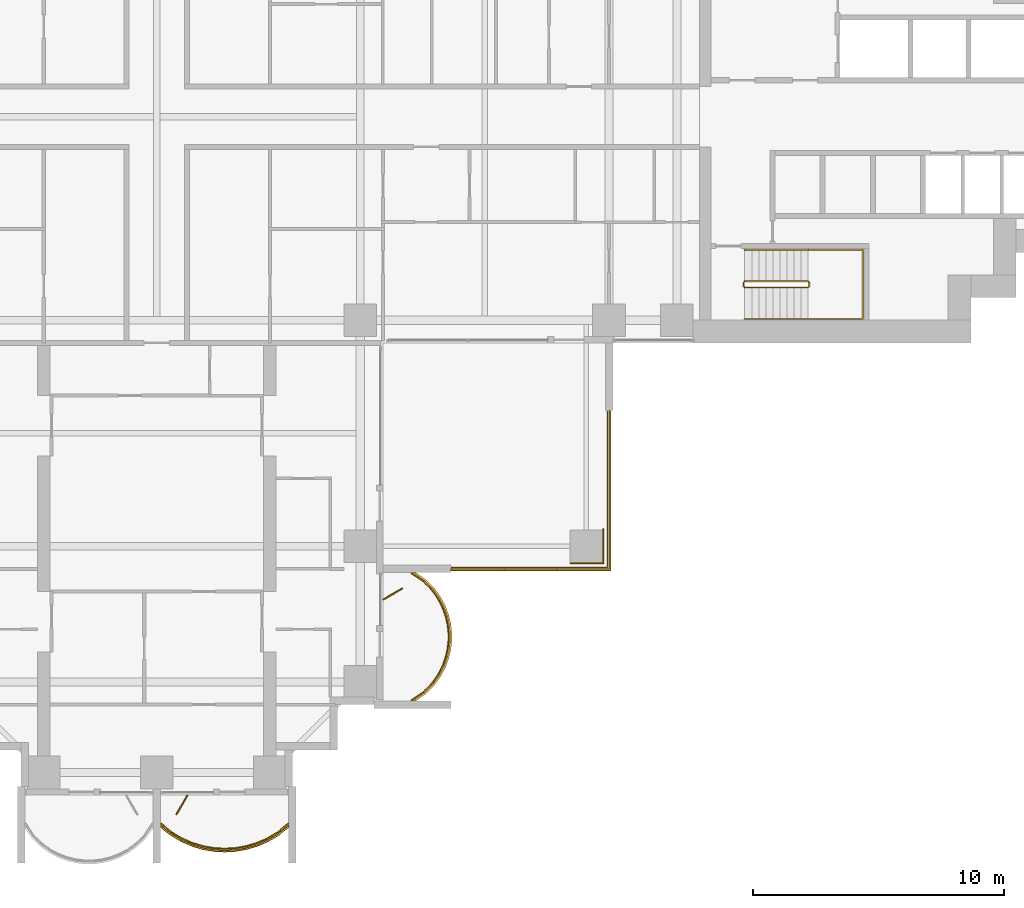
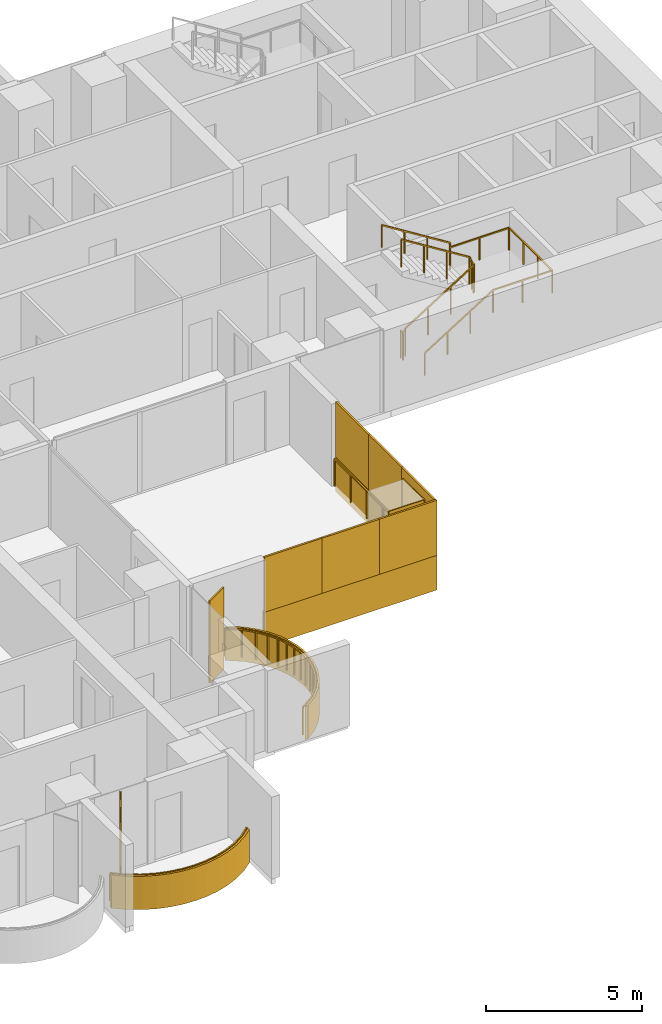
# One storey, part 18 of 21: 11 coverings, 5 railings, 2 shading devices.
"""IFC4 building model written with IfcOpenShell, lengths in metres."""

import ifcopenshell
import ifcopenshell.guid

model = None  # the IFC model being written
_history = None  # IfcOwnerHistory: only IFC2X3 demands one
_inside = {}  # id of a spatial element -> (the spatial element, [elements in it])
_under = {}  # id of a project, library or spatial element -> (it, [spatial elements below it])
_declared = {}  # id of a project -> (the project, [libraries it declares])
_typed = {}  # id of a type object -> (the type object, [elements of that type])
_made_of = {}  # id of a material, layer set ... -> (it, [elements and type objects made of it])


def new_model(schema):
    """Start an empty IFC model of exactly this schema.

    Asked for "IFC4X3", IfcOpenShell would pick the latest addendum, in which some entities
    have other attributes; the version numbers below select the first issue.
    IFC2X3 requires an IfcOwnerHistory on every rooted entity: one is made here for all.
    """
    global model, _history
    if schema == "IFC4X3":
        model = ifcopenshell.file(schema_version=(4, 3, 0, 0))
    else:
        model = ifcopenshell.file(schema=schema)
    _inside.clear()
    _under.clear()
    _declared.clear()
    _typed.clear()
    _made_of.clear()
    _history = None
    if model.schema == "IFC2X3":
        org = make("IfcOrganization", Name="unknown")
        user = make(
            "IfcPersonAndOrganization",
            ThePerson=make("IfcPerson", FamilyName="unknown"),
            TheOrganization=org,
        )
        app = make(
            "IfcApplication",
            ApplicationDeveloper=org,
            Version="unknown",
            ApplicationFullName="unknown",
            ApplicationIdentifier="unknown",
        )
        _history = make(
            "IfcOwnerHistory",
            OwningUser=user,
            OwningApplication=app,
            ChangeAction="ADDED",
            CreationDate=0,
        )
    return model


def make(cls, **values):
    """One entity of the class cls with the attributes given. An attribute that is None is left unset."""
    return model.create_entity(
        cls, **{name: value for name, value in values.items() if value is not None}
    )


def rooted(cls, **values):
    """An entity with a GlobalId (a new one), such as an element, a storey or a relation."""
    return make(cls, GlobalId=ifcopenshell.guid.new(), OwnerHistory=_history, **values)


def si_unit(unit_type, name, prefix=None):
    """IfcSIUnit, for example si_unit("LENGTHUNIT", "METRE", prefix="MILLI")."""
    return make("IfcSIUnit", UnitType=unit_type, Prefix=prefix, Name=name)


def assignment(units):
    """IfcUnitAssignment: the units of a project."""
    return None if units is None else make("IfcUnitAssignment", Units=units)


def point(xyz):
    """IfcCartesianPoint."""
    return None if xyz is None else make("IfcCartesianPoint", Coordinates=xyz)


def direction(xyz):
    """IfcDirection."""
    return None if xyz is None else make("IfcDirection", DirectionRatios=xyz)


def frame(location, z_axis=None, x_axis=None):
    """IfcAxis2Placement3D, a coordinate frame: its origin and axes. An axis left out is left unset."""
    return make(
        "IfcAxis2Placement3D",
        Location=point(location),
        Axis=direction(z_axis),
        RefDirection=direction(x_axis),
    )


def frame_2d(location, x_axis=None):
    """IfcAxis2Placement2D, a coordinate frame in the plane: its origin and x axis."""
    return make(
        "IfcAxis2Placement2D", Location=point(location), RefDirection=direction(x_axis)
    )


def origin():
    """The frame at (0, 0, 0) with its axes left unset."""
    return frame((0.0, 0.0, 0.0))


def origin_2d():
    """The frame at (0, 0) in the plane with its x axis left unset."""
    return frame_2d((0.0, 0.0))


def place(relative_to, where):
    """IfcLocalPlacement: puts the frame where relative to a parent placement (None: the world)."""
    return make(
        "IfcLocalPlacement", PlacementRelTo=relative_to, RelativePlacement=where
    )


def context(
    kind, dimensions, precision=None, world=None, true_north=None, identifier=None
):
    """IfcGeometricRepresentationContext, for example the 3D "Model" context."""
    return make(
        "IfcGeometricRepresentationContext",
        ContextIdentifier=identifier,
        ContextType=kind,
        CoordinateSpaceDimension=dimensions,
        Precision=precision,
        WorldCoordinateSystem=world,
        TrueNorth=true_north,
    )


def subcontext(parent, identifier, kind, view, scale=None):
    """IfcGeometricRepresentationSubContext, for example "Body" below "Model"."""
    return make(
        "IfcGeometricRepresentationSubContext",
        ContextIdentifier=identifier,
        ContextType=kind,
        ParentContext=parent,
        TargetScale=scale,
        TargetView=view,
    )


def project(units=None, contexts=None):
    """IfcProject with its units and contexts."""
    return rooted(
        "IfcProject",
        Name="project",
        RepresentationContexts=contexts,
        UnitsInContext=assignment(units),
    )


def spatial(cls, under=None, at=None, **own):
    """A site, building, storey or space (cls), placed at a placement, below another one or the project."""
    s = rooted(cls, ObjectPlacement=at, **own)
    if under is not None:
        _under.setdefault(under.id(), (under, []))[1].append(s)
    return s


def polyline(points):
    """IfcPolyline through the points."""
    return make("IfcPolyline", Points=[point(p) for p in points])


def profile(cls, at=None, kind="AREA", **sizes):
    """A parametric profile (cls). Its sizes go by their IFC names, for example OverallWidth=200.0."""
    return make(cls, ProfileType=kind, Position=at, **sizes)


def rectangle(**sizes):
    """IfcRectangleProfileDef."""
    return profile("IfcRectangleProfileDef", **sizes)


def outline(outer, holes=None, kind="AREA"):
    """IfcArbitraryClosedProfileDef: a profile drawn as a closed curve; with holes, ...WithVoids."""
    if holes is None:
        return make("IfcArbitraryClosedProfileDef", ProfileType=kind, OuterCurve=outer)
    return make(
        "IfcArbitraryProfileDefWithVoids",
        ProfileType=kind,
        OuterCurve=outer,
        InnerCurves=holes,
    )


def extrude(swept, where, along, depth):
    """IfcExtrudedAreaSolid: the profile swept, set in the frame where, extruded along a direction by depth."""
    return make(
        "IfcExtrudedAreaSolid",
        SweptArea=swept,
        Position=where,
        ExtrudedDirection=direction(along),
        Depth=depth,
    )


def shape(context_of_items, identifier, shape_type, items):
    """IfcShapeRepresentation: the items that make up one representation, for example the "Body"."""
    return make(
        "IfcShapeRepresentation",
        ContextOfItems=context_of_items,
        RepresentationIdentifier=identifier,
        RepresentationType=shape_type,
        Items=items,
    )


def material(Name=None, Category=None):
    """IfcMaterial."""
    return make("IfcMaterial", Name=Name, Category=Category)


def layer(
    of_material, thickness, ventilated=None, Name=None, Category=None, Priority=None
):
    """IfcMaterialLayer: one layer of a wall or slab, of a material (None: an air gap)."""
    return make(
        "IfcMaterialLayer",
        Material=of_material,
        LayerThickness=thickness,
        IsVentilated=ventilated,
        Name=Name,
        Category=Category,
        Priority=Priority,
    )


def layer_set(layers, Name=None):
    """IfcMaterialLayerSet."""
    return make("IfcMaterialLayerSet", MaterialLayers=layers, LayerSetName=Name)


def made_of(thing, what):
    """Note that an element or type object is made of a material, layer set ...; save() writes the relation."""
    if what is not None:
        _made_of.setdefault(what.id(), (what, []))[1].append(thing)
    return thing


def type_object(cls, material=None, **own):
    """A type object (cls), such as IfcWallType, which elements share."""
    return made_of(rooted(cls, **own), material)


def element(
    cls,
    number,
    at=None,
    inside=None,
    cuts=None,
    type_object=None,
    material=None,
    context=None,
    identifier="Body",
    shape_type=None,
    held_by="IfcProductDefinitionShape",
    body=None,
    shapes=None,
    **own,
):
    """One element of the class cls, such as IfcWall. Its Tag is "e" and its number.

    at: its placement. inside: the storey or other place that contains it. cuts: it is an
    opening in that element (IfcRelVoidsElement). A single representation is given by context,
    identifier, shape_type and body (its items); several are given by shapes. held_by: the class
    of the entity that holds the representations. save() writes the other relations.
    """
    e = rooted(cls, Tag="e%d" % number, ObjectPlacement=at, **own)
    if body is not None:
        shapes = [shape(context, identifier, shape_type, body)]
    if shapes is not None:
        e.Representation = make(held_by, Representations=shapes)
    if inside is not None:
        _inside.setdefault(inside.id(), (inside, []))[1].append(e)
    if cuts is not None:
        rooted(
            "IfcRelVoidsElement", RelatingBuildingElement=cuts, RelatedOpeningElement=e
        )
    if type_object is not None:
        _typed.setdefault(type_object.id(), (type_object, []))[1].append(e)
    return made_of(e, material)


def aggregate(whole, parts):
    """IfcRelAggregates: a whole, such as a stair, and the parts it consists of."""
    return rooted("IfcRelAggregates", RelatingObject=whole, RelatedObjects=parts)


def save(model, path):
    """Write the relations noted so far, then the file.

    IfcRelAggregates (storeys below a building ...), IfcRelContainedInSpatialStructure (elements
    in a storey), IfcRelDefinesByType, IfcRelAssociatesMaterial and IfcRelDeclares: one each for
    every whole, place, type object, material and project.
    """
    for whole, parts in _under.values():
        aggregate(whole, parts)
    for where, things in _inside.values():
        rooted(
            "IfcRelContainedInSpatialStructure",
            RelatedElements=things,
            RelatingStructure=where,
        )
    for kind, things in _typed.values():
        rooted("IfcRelDefinesByType", RelatedObjects=things, RelatingType=kind)
    for what, things in _made_of.values():
        rooted("IfcRelAssociatesMaterial", RelatedObjects=things, RelatingMaterial=what)
    for by, libraries in _declared.values():
        rooted("IfcRelDeclares", RelatingContext=by, RelatedDefinitions=libraries)
    model.write(path)


model = new_model("IFC4")

# Units and contexts
model_context = context("Model", 3, precision=1e-05, world=origin(), true_north=direction((0.0, 1.0)))
body_context = subcontext(model_context, "Body", "Model", "MODEL_VIEW")
ifc_project = project(units=[si_unit("LENGTHUNIT", "METRE"), si_unit("AREAUNIT", "SQUARE_METRE"), si_unit("VOLUMEUNIT", "CUBIC_METRE"), si_unit("PLANEANGLEUNIT", "RADIAN"), si_unit("MASSUNIT", "GRAM", prefix="KILO")], contexts=[model_context])

# Site, building, storey
site_placement = place(None, origin())
site = spatial("IfcSite", under=ifc_project, at=site_placement, CompositionType="ELEMENT")
building_placement = place(site_placement, origin())
building = spatial("IfcBuilding", under=site, at=building_placement, Name="Perihelion Cross Residences", CompositionType="ELEMENT")
storey_placement = place(building_placement, frame((0.0, 0.0, 89.0)))
storey = spatial("IfcBuildingStorey", under=building, at=storey_placement, Name="L20", CompositionType="ELEMENT", Elevation=89.0)

# Coverings
ifc_material_1 = material(Name="Bronze anodised aluminium", Category="aluminium")
ifc_layer_1 = layer(ifc_material_1, 0.070068359375)
ifc_layer_set_1 = layer_set([ifc_layer_1], Name="Balcony fascia 1300")
covering_type_1 = type_object("IfcCoveringType", Name="Balcony fascia 1300", PredefinedType="CLADDING", material=ifc_layer_set_1)
covering_1_placement = place(storey_placement, frame((0.0, 0.0, -0.199951171875)))
element("IfcCovering", 1, at=covering_1_placement, inside=storey, type_object=covering_type_1, Name="Fascia BF1 L20 south tip south bay 2", PredefinedType="CLADDING", context=body_context, shape_type="SweptSolid", body=[
    extrude(outline(polyline([(0.53515625, -28.59765625), (0.96826171875, -28.85498046875), (1.401123046875, -29.04248046875), (1.833984375, -29.170654296875), (2.26708984375, -29.245361328125), (2.699951171875, -29.27001953125), (3.133056640625, -29.245361328125), (3.56591796875, -29.170654296875), (3.998779296875, -29.04248046875), (4.431884765625, -28.85498046875), (4.86474609375, -28.59765625), (5.25, -28.28955078125), (5.25, -28.199951171875), (4.824951171875, -28.5400390625), (4.39990234375, -28.792724609375), (3.97509765625, -28.9765625), (3.550048828125, -29.1025390625), (3.125, -29.17578125), (2.699951171875, -29.199951171875), (2.27490234375, -29.17578125), (1.85009765625, -29.1025390625), (1.425048828125, -28.9765625), (1.0, -28.792724609375), (0.574951171875, -28.5400390625), (0.14990234375, -28.199951171875), (0.14990234375, -28.28955078125), (0.53515625, -28.59765625)])), origin(), (0.0, 0.0, 1.0), 1.300048828125),
])
covering_2_placement = place(storey_placement, frame((0.0, 0.0, -0.199951171875)))
element("IfcCovering", 2, at=covering_2_placement, inside=storey, type_object=covering_type_1, Name="Fascia BF1 L20 south side east bay 1", PredefinedType="CLADDING", context=body_context, shape_type="SweptSolid", body=[
    extrude(outline(polyline([(10.722412109375, -22.963134765625), (11.060791015625, -22.61474609375), (11.308837890625, -22.2666015625), (11.4912109375, -21.91845703125), (11.620361328125, -21.5703125), (11.703369140625, -21.22216796875), (11.743896484375, -20.8740234375), (11.743896484375, -20.52587890625), (11.703369140625, -20.177734375), (11.620361328125, -19.82958984375), (11.4912109375, -19.4814453125), (11.308837890625, -19.13330078125), (11.060791015625, -18.78515625), (10.722412109375, -18.43701171875), (10.320556640625, -18.14990234375), (10.199951171875, -18.14990234375), (10.6767578125, -18.489990234375), (11.007080078125, -18.830078125), (11.2490234375, -19.169921875), (11.42724609375, -19.510009765625), (11.553466796875, -19.85009765625), (11.63427734375, -20.18994140625), (11.674072265625, -20.530029296875), (11.674072265625, -20.8701171875), (11.63427734375, -21.2099609375), (11.553466796875, -21.550048828125), (11.42724609375, -21.889892578125), (11.2490234375, -22.22998046875), (11.007080078125, -22.570068359375), (10.6767578125, -22.909912109375), (10.199951171875, -23.25), (10.320556640625, -23.25), (10.722412109375, -22.963134765625)])), origin(), (0.0, 0.0, 1.0), 1.300048828125),
])

# Railings
ifc_material_2 = material(Name="Bronze anodised aluminium", Category="aluminium")
railing_type_1 = type_object("IfcRailingType", Name="Balcony guard 1100", PredefinedType="GUARDRAIL", material=ifc_material_2)
railing_1_placement = place(storey_placement, frame((0.175048828125, -28.139892578125, 0.0)))
element("IfcRailing", 3, at=railing_1_placement, inside=storey, type_object=railing_type_1, Name="Guard GU1 L20 south tip south bay 2 balcony", PredefinedType="GUARDRAIL", context=body_context, shape_type="SweptSolid", body=[
    extrude(rectangle(XDim=0.048095703125, YDim=0.048095703125, at=origin_2d()), frame((0.0, 0.0, 1.076171875), z_axis=(0.761778647315, -0.647837396648, 0.0), x_axis=(0.647837396648, 0.761778647315, 0.0)), (0.0, 0.0, 1.0), 0.52490234375),
    extrude(rectangle(XDim=0.048095703125, YDim=0.048095703125, at=origin_2d()), frame((0.39990234375, -0.340087890625, 1.076171875), z_axis=(0.859576918062, -0.511006381501, 0.0), x_axis=(0.511006381501, 0.859576918062, 0.0)), (0.0, 0.0, 1.0), 0.494384765625),
    extrude(rectangle(XDim=0.048095703125, YDim=0.048095703125, at=origin_2d()), frame((0.824951171875, -0.5927734375, 1.076171875), z_axis=(0.917638931453, -0.397415137459, 0.0), x_axis=(0.397415137459, 0.917638931453, 0.0)), (0.0, 0.0, 1.0), 0.463134765625),
    extrude(rectangle(XDim=0.048095703125, YDim=0.048095703125, at=origin_2d()), frame((1.25, -0.77685546875, 1.076171875), z_axis=(0.958925815697, -0.283656975924, 0.0), x_axis=(0.283656975924, 0.958925815697, 0.0)), (0.0, 0.0, 1.0), 0.443359375),
    extrude(rectangle(XDim=0.048095703125, YDim=0.048095703125, at=origin_2d()), frame((1.675048828125, -0.902587890625, 1.076171875), z_axis=(0.985365142702, -0.170456843651, 0.0), x_axis=(0.170456843651, 0.985365142702, 0.0)), (0.0, 0.0, 1.0), 0.43115234375),
    extrude(rectangle(XDim=0.048095703125, YDim=0.048095703125, at=origin_2d()), frame((2.099853515625, -0.97607421875, 1.076171875), z_axis=(0.9984195016, -0.056200523353, 0.0), x_axis=(0.056200523353, 0.9984195016, 0.0)), (0.0, 0.0, 1.0), 0.42578125),
    extrude(rectangle(XDim=0.048095703125, YDim=0.048095703125, at=origin_2d()), frame((2.52490234375, -1.0, 1.076171875), z_axis=(0.9984195016, 0.056200523353, 0.0), x_axis=(-0.056200523353, 0.9984195016, 0.0)), (0.0, 0.0, 1.0), 0.42578125),
    extrude(rectangle(XDim=0.048095703125, YDim=0.048095703125, at=origin_2d()), frame((2.949951171875, -0.97607421875, 1.076171875), z_axis=(0.985381583142, 0.17036177859, 0.0), x_axis=(-0.17036177859, 0.985381583142, 0.0)), (0.0, 0.0, 1.0), 0.431396484375),
    extrude(rectangle(XDim=0.048095703125, YDim=0.048095703125, at=origin_2d()), frame((3.375, -0.902587890625, 1.076171875), z_axis=(0.958925815697, 0.283656975924, 0.0), x_axis=(-0.283656975924, 0.958925815697, 0.0)), (0.0, 0.0, 1.0), 0.443359375),
    extrude(rectangle(XDim=0.048095703125, YDim=0.048095703125, at=origin_2d()), frame((3.800048828125, -0.77685546875, 1.076171875), z_axis=(0.91755562531, 0.397607437634, 0.0), x_axis=(-0.397607437634, 0.91755562531, 0.0)), (0.0, 0.0, 1.0), 0.462890625),
    extrude(rectangle(XDim=0.048095703125, YDim=0.048095703125, at=origin_2d()), frame((4.224853515625, -0.5927734375, 1.076171875), z_axis=(0.859576918062, 0.511006381501, 0.0), x_axis=(-0.511006381501, 0.859576918062, 0.0)), (0.0, 0.0, 1.0), 0.494384765625),
    extrude(rectangle(XDim=0.048095703125, YDim=0.048095703125, at=origin_2d()), frame((4.64990234375, -0.340087890625, 1.076171875), z_axis=(0.761973728849, 0.647607934281, 0.0), x_axis=(-0.647607934281, 0.761973728849, 0.0)), (0.0, 0.0, 1.0), 0.525146484375),
    extrude(rectangle(XDim=0.0419921875, YDim=0.0419921875, at=origin_2d()), origin(), (0.0, 0.0, 1.0), 1.052001953125),
    extrude(rectangle(XDim=0.0419921875, YDim=0.0419921875, at=origin_2d()), frame((0.39990234375, -0.340087890625, 0.0)), (0.0, 0.0, 1.0), 1.052001953125),
    extrude(rectangle(XDim=0.0419921875, YDim=0.0419921875, at=origin_2d()), frame((0.824951171875, -0.5927734375, 0.0)), (0.0, 0.0, 1.0), 1.052001953125),
    extrude(rectangle(XDim=0.0419921875, YDim=0.0419921875, at=origin_2d()), frame((1.25, -0.77685546875, 0.0)), (0.0, 0.0, 1.0), 1.052001953125),
    extrude(rectangle(XDim=0.0419921875, YDim=0.0419921875, at=origin_2d()), frame((1.675048828125, -0.902587890625, 0.0)), (0.0, 0.0, 1.0), 1.052001953125),
    extrude(rectangle(XDim=0.0419921875, YDim=0.0419921875, at=origin_2d()), frame((2.099853515625, -0.97607421875, 0.0)), (0.0, 0.0, 1.0), 1.052001953125),
    extrude(rectangle(XDim=0.0419921875, YDim=0.0419921875, at=origin_2d()), frame((2.52490234375, -1.0, 0.0)), (0.0, 0.0, 1.0), 1.052001953125),
    extrude(rectangle(XDim=0.0419921875, YDim=0.0419921875, at=origin_2d()), frame((2.949951171875, -0.97607421875, 0.0)), (0.0, 0.0, 1.0), 1.052001953125),
    extrude(rectangle(XDim=0.0419921875, YDim=0.0419921875, at=origin_2d()), frame((3.375, -0.902587890625, 0.0)), (0.0, 0.0, 1.0), 1.052001953125),
    extrude(rectangle(XDim=0.0419921875, YDim=0.0419921875, at=origin_2d()), frame((3.800048828125, -0.77685546875, 0.0)), (0.0, 0.0, 1.0), 1.052001953125),
    extrude(rectangle(XDim=0.0419921875, YDim=0.0419921875, at=origin_2d()), frame((4.224853515625, -0.5927734375, 0.0)), (0.0, 0.0, 1.0), 1.052001953125),
    extrude(rectangle(XDim=0.0419921875, YDim=0.0419921875, at=origin_2d()), frame((4.64990234375, -0.340087890625, 0.0)), (0.0, 0.0, 1.0), 1.052001953125),
    extrude(rectangle(XDim=0.0419921875, YDim=0.0419921875, at=origin_2d()), frame((5.050048828125, 0.0, 0.0)), (0.0, 0.0, 1.0), 1.052001953125),
])
railing_2_placement = place(storey_placement, frame((10.139892578125, -23.22509765625, 0.0)))
element("IfcRailing", 4, at=railing_2_placement, inside=storey, type_object=railing_type_1, Name="Guard GU1 L20 south side east bay 1 balcony", PredefinedType="GUARDRAIL", context=body_context, shape_type="SweptSolid", body=[
    extrude(rectangle(XDim=0.048095703125, YDim=0.048095703125, at=origin_2d()), frame((0.0, 0.0, 1.076171875), z_axis=(0.834212513801, 0.55144309028, 0.0), x_axis=(-0.55144309028, 0.834212513801, 0.0)), (0.0, 0.0, 1.0), 0.571533203125),
    extrude(rectangle(XDim=0.048095703125, YDim=0.048095703125, at=origin_2d()), frame((0.476806640625, 0.315185546875, 1.076171875), z_axis=(0.696990112603, 0.717080736691, 0.0), x_axis=(-0.717080736691, 0.696990112603, 0.0)), (0.0, 0.0, 1.0), 0.473876953125),
    extrude(rectangle(XDim=0.048095703125, YDim=0.048095703125, at=origin_2d()), frame((0.80712890625, 0.655029296875, 1.076171875), z_axis=(0.580075995532, 0.814562360662, 0.0), x_axis=(-0.814562360662, 0.580075995532, 0.0)), (0.0, 0.0, 1.0), 0.41748046875),
    extrude(rectangle(XDim=0.048095703125, YDim=0.048095703125, at=origin_2d()), frame((1.04931640625, 0.9951171875, 1.076171875), z_axis=(0.463674228502, 0.886005761733, 0.0), x_axis=(-0.886005761733, 0.463674228502, 0.0)), (0.0, 0.0, 1.0), 0.3837890625),
    extrude(rectangle(XDim=0.048095703125, YDim=0.048095703125, at=origin_2d()), frame((1.227294921875, 1.335205078125, 1.076171875), z_axis=(0.348169621027, 0.937431552165, 0.0), x_axis=(-0.937431552165, 0.348169621027, 0.0)), (0.0, 0.0, 1.0), 0.362548828125),
    extrude(rectangle(XDim=0.048095703125, YDim=0.048095703125, at=origin_2d()), frame((1.353515625, 1.675048828125, 1.076171875), z_axis=(0.231840805498, 0.972753741142, 0.0), x_axis=(-0.972753741142, 0.231840805498, 0.0)), (0.0, 0.0, 1.0), 0.349609375),
    extrude(rectangle(XDim=0.048095703125, YDim=0.048095703125, at=origin_2d()), frame((1.4345703125, 2.01513671875, 1.076171875), z_axis=(0.11559909788, 0.993295952156, 0.0), x_axis=(-0.993295952156, 0.11559909788, 0.0)), (0.0, 0.0, 1.0), 0.342041015625),
    extrude(rectangle(XDim=0.048095703125, YDim=0.048095703125, at=origin_2d()), frame((1.47412109375, 2.35498046875, 1.076171875), z_axis=(0.0, 1.0, 0.0), x_axis=(-1.0, 0.0, 0.0)), (0.0, 0.0, 1.0), 0.340087890625),
    extrude(rectangle(XDim=0.048095703125, YDim=0.048095703125, at=origin_2d()), frame((1.47412109375, 2.695068359375, 1.076171875), z_axis=(-0.11551721994, 0.993305477634, 0.0), x_axis=(-0.993305477634, -0.11551721994, 0.0)), (0.0, 0.0, 1.0), 0.34228515625),
    extrude(rectangle(XDim=0.048095703125, YDim=0.048095703125, at=origin_2d()), frame((1.4345703125, 3.03515625, 1.076171875), z_axis=(-0.231998396458, 0.972716168284, 0.0), x_axis=(-0.972716168284, -0.231998396458, 0.0)), (0.0, 0.0, 1.0), 0.349365234375),
    extrude(rectangle(XDim=0.048095703125, YDim=0.048095703125, at=origin_2d()), frame((1.353515625, 3.375, 1.076171875), z_axis=(-0.347949948587, 0.93751311099, 0.0), x_axis=(-0.93751311099, -0.347949948587, 0.0)), (0.0, 0.0, 1.0), 0.36279296875),
    extrude(rectangle(XDim=0.048095703125, YDim=0.048095703125, at=origin_2d()), frame((1.227294921875, 3.715087890625, 1.076171875), z_axis=(-0.463674228502, 0.886005761733, 0.0), x_axis=(-0.886005761733, -0.463674228502, 0.0)), (0.0, 0.0, 1.0), 0.3837890625),
    extrude(rectangle(XDim=0.048095703125, YDim=0.048095703125, at=origin_2d()), frame((1.04931640625, 4.05517578125, 1.076171875), z_axis=(-0.580352394782, 0.814365457194, 0.0), x_axis=(-0.814365457194, -0.580352394782, 0.0)), (0.0, 0.0, 1.0), 0.417236328125),
    extrude(rectangle(XDim=0.048095703125, YDim=0.048095703125, at=origin_2d()), frame((0.80712890625, 4.39501953125, 1.076171875), z_axis=(-0.69673269466, 0.717330852669, 0.0), x_axis=(-0.717330852669, -0.69673269466, 0.0)), (0.0, 0.0, 1.0), 0.47412109375),
    extrude(rectangle(XDim=0.048095703125, YDim=0.048095703125, at=origin_2d()), frame((0.476806640625, 4.735107421875, 1.076171875), z_axis=(-0.834409002258, 0.551145731138, 0.0), x_axis=(-0.551145731138, -0.834409002258, 0.0)), (0.0, 0.0, 1.0), 0.571533203125),
    extrude(rectangle(XDim=0.0419921875, YDim=0.0419921875, at=origin_2d()), origin(), (0.0, 0.0, 1.0), 1.052001953125),
    extrude(rectangle(XDim=0.0419921875, YDim=0.0419921875, at=origin_2d()), frame((0.476806640625, 0.315185546875, 0.0)), (0.0, 0.0, 1.0), 1.052001953125),
    extrude(rectangle(XDim=0.0419921875, YDim=0.0419921875, at=origin_2d()), frame((0.80712890625, 0.655029296875, 0.0)), (0.0, 0.0, 1.0), 1.052001953125),
    extrude(rectangle(XDim=0.0419921875, YDim=0.0419921875, at=origin_2d()), frame((1.04931640625, 0.9951171875, 0.0)), (0.0, 0.0, 1.0), 1.052001953125),
    extrude(rectangle(XDim=0.0419921875, YDim=0.0419921875, at=origin_2d()), frame((1.227294921875, 1.335205078125, 0.0)), (0.0, 0.0, 1.0), 1.052001953125),
    extrude(rectangle(XDim=0.0419921875, YDim=0.0419921875, at=origin_2d()), frame((1.353515625, 1.675048828125, 0.0)), (0.0, 0.0, 1.0), 1.052001953125),
    extrude(rectangle(XDim=0.0419921875, YDim=0.0419921875, at=origin_2d()), frame((1.4345703125, 2.01513671875, 0.0)), (0.0, 0.0, 1.0), 1.052001953125),
    extrude(rectangle(XDim=0.0419921875, YDim=0.0419921875, at=origin_2d()), frame((1.47412109375, 2.35498046875, 0.0)), (0.0, 0.0, 1.0), 1.052001953125),
    extrude(rectangle(XDim=0.0419921875, YDim=0.0419921875, at=origin_2d()), frame((1.47412109375, 2.695068359375, 0.0)), (0.0, 0.0, 1.0), 1.052001953125),
    extrude(rectangle(XDim=0.0419921875, YDim=0.0419921875, at=origin_2d()), frame((1.4345703125, 3.03515625, 0.0)), (0.0, 0.0, 1.0), 1.052001953125),
    extrude(rectangle(XDim=0.0419921875, YDim=0.0419921875, at=origin_2d()), frame((1.353515625, 3.375, 0.0)), (0.0, 0.0, 1.0), 1.052001953125),
    extrude(rectangle(XDim=0.0419921875, YDim=0.0419921875, at=origin_2d()), frame((1.227294921875, 3.715087890625, 0.0)), (0.0, 0.0, 1.0), 1.052001953125),
    extrude(rectangle(XDim=0.0419921875, YDim=0.0419921875, at=origin_2d()), frame((1.04931640625, 4.05517578125, 0.0)), (0.0, 0.0, 1.0), 1.052001953125),
    extrude(rectangle(XDim=0.0419921875, YDim=0.0419921875, at=origin_2d()), frame((0.80712890625, 4.39501953125, 0.0)), (0.0, 0.0, 1.0), 1.052001953125),
    extrude(rectangle(XDim=0.0419921875, YDim=0.0419921875, at=origin_2d()), frame((0.476806640625, 4.735107421875, 0.0)), (0.0, 0.0, 1.0), 1.052001953125),
    extrude(rectangle(XDim=0.0419921875, YDim=0.0419921875, at=origin_2d()), frame((0.0, 5.050048828125, 0.0)), (0.0, 0.0, 1.0), 1.052001953125),
])
railing_3_placement = place(storey_placement, frame((17.93994140625, -11.739990234375, 0.0)))
element("IfcRailing", 5, at=railing_3_placement, inside=storey, type_object=railing_type_1, Name="Guard GU1 L20 pocket south-east 1", PredefinedType="GUARDRAIL", context=body_context, shape_type="SweptSolid", body=[
    extrude(rectangle(XDim=0.048095703125, YDim=0.048095703125, at=origin_2d()), frame((0.0, 0.0, 1.076171875), z_axis=(0.0, -1.0, 0.0), x_axis=(1.0, 0.0, 0.0)), (0.0, 0.0, 1.0), 6.199951171875),
    extrude(rectangle(XDim=0.048095703125, YDim=0.048095703125, at=origin_2d()), frame((0.0, -6.199951171875, 1.076171875), z_axis=(-1.0, 0.0, 0.0), x_axis=(0.0, -1.0, 0.0)), (0.0, 0.0, 1.0), 6.199951171875),
    extrude(rectangle(XDim=0.0419921875, YDim=0.0419921875, at=origin_2d()), origin(), (0.0, 0.0, 1.0), 1.052001953125),
    extrude(rectangle(XDim=0.0419921875, YDim=0.0419921875, at=origin_2d()), frame((0.0, -1.033203125, 0.0)), (0.0, 0.0, 1.0), 1.052001953125),
    extrude(rectangle(XDim=0.0419921875, YDim=0.0419921875, at=origin_2d()), frame((0.0, -2.066650390625, 0.0)), (0.0, 0.0, 1.0), 1.052001953125),
    extrude(rectangle(XDim=0.0419921875, YDim=0.0419921875, at=origin_2d()), frame((0.0, -3.10009765625, 0.0)), (0.0, 0.0, 1.0), 1.052001953125),
    extrude(rectangle(XDim=0.0419921875, YDim=0.0419921875, at=origin_2d()), frame((0.0, -4.13330078125, 0.0)), (0.0, 0.0, 1.0), 1.052001953125),
    extrude(rectangle(XDim=0.0419921875, YDim=0.0419921875, at=origin_2d()), frame((0.0, -5.16650390625, 0.0)), (0.0, 0.0, 1.0), 1.052001953125),
    extrude(rectangle(XDim=0.0419921875, YDim=0.0419921875, at=origin_2d()), frame((0.0, -6.199951171875, 0.0)), (0.0, 0.0, 1.0), 1.052001953125),
    extrude(rectangle(XDim=0.0419921875, YDim=0.0419921875, at=origin_2d()), frame((-1.033203125, -6.199951171875, 0.0)), (0.0, 0.0, 1.0), 1.052001953125),
    extrude(rectangle(XDim=0.0419921875, YDim=0.0419921875, at=origin_2d()), frame((-2.066650390625, -6.199951171875, 0.0)), (0.0, 0.0, 1.0), 1.052001953125),
    extrude(rectangle(XDim=0.0419921875, YDim=0.0419921875, at=origin_2d()), frame((-3.10009765625, -6.199951171875, 0.0)), (0.0, 0.0, 1.0), 1.052001953125),
    extrude(rectangle(XDim=0.0419921875, YDim=0.0419921875, at=origin_2d()), frame((-4.13330078125, -6.199951171875, 0.0)), (0.0, 0.0, 1.0), 1.052001953125),
    extrude(rectangle(XDim=0.0419921875, YDim=0.0419921875, at=origin_2d()), frame((-5.16650390625, -6.199951171875, 0.0)), (0.0, 0.0, 1.0), 1.052001953125),
    extrude(rectangle(XDim=0.0419921875, YDim=0.0419921875, at=origin_2d()), frame((-6.199951171875, -6.199951171875, 0.0)), (0.0, 0.0, 1.0), 1.052001953125),
])

# Coverings
ifc_material_3 = material(Name="Bronze anodised aluminium", Category="aluminium")
ifc_layer_2 = layer(ifc_material_3, 0.0400390625)
ifc_layer_set_2 = layer_set([ifc_layer_2], Name="Bronze column casing 40")
covering_type_2 = type_object("IfcCoveringType", Name="Bronze column casing 40", PredefinedType="CLADDING", material=ifc_layer_set_2)
covering_3_placement = place(storey_placement, frame((17.77001953125, -17.10009765625, -0.25), z_axis=(0.0, 0.0, 1.0), x_axis=(1.0, 0.0, 0.0)))
element("IfcCovering", 6, at=covering_3_placement, inside=storey, type_object=covering_type_2, Name="Cladding CC1 L20 casing east-west no. 3", PredefinedType="CLADDING", context=body_context, shape_type="SweptSolid", body=[
    extrude(rectangle(XDim=0.0400390625, YDim=1.3798828125, at=origin_2d()), origin(), (0.0, 0.0, 1.0), 3.449951171875),
])
covering_4_placement = place(storey_placement, frame((17.10009765625, -17.77001953125, -0.25), z_axis=(0.0, 0.0, 1.0), x_axis=(1.0, 0.0, 0.0)))
element("IfcCovering", 7, at=covering_4_placement, inside=storey, type_object=covering_type_2, Name="Cladding CC1 L20 casing north-south no. 3", PredefinedType="CLADDING", context=body_context, shape_type="SweptSolid", body=[
    extrude(rectangle(XDim=1.300048828125, YDim=0.0400390625, at=origin_2d()), origin(), (0.0, 0.0, 1.0), 3.449951171875),
])

# Shading devices
ifc_material_4 = material(Name="Bronze anodised aluminium", Category="aluminium")
ifc_layer_3 = layer(ifc_material_4, 0.050048828125)
ifc_layer_set_3 = layer_set([ifc_layer_3], Name="Bronze fin 900")
shading_device_type = type_object("IfcShadingDeviceType", Name="Bronze fin 900", PredefinedType="USERDEFINED", material=ifc_layer_set_3)
for number, where, z_axis, x_axis, name in (
    (8, (1.0, -27.3896484375, 0.0), (0.0, 0.0, 1.0), (-0.5, -0.866025403784, 0.0), "Fin FN1 L20 south tip south bay 2"),
    (9, (9.3896484375, -19.0, 0.0), (0.0, 0.0, 1.0), (0.866025403784, 0.5, 0.0), "Fin FN1 L20 south side east bay 1"),
):
    element("IfcShadingDevice", number, at=place(storey_placement, frame(where, z_axis=z_axis, x_axis=x_axis)), inside=storey, type_object=shading_device_type, Name=name, ObjectType="FIN", PredefinedType="USERDEFINED", context=body_context, shape_type="SweptSolid", body=[
        extrude(rectangle(XDim=0.89990234375, YDim=0.050048828125, at=origin_2d()), origin(), (0.0, 0.0, 1.0), 3.199951171875),
    ])

# Coverings
ifc_material_5 = material(Name="Bronze anodised aluminium", Category="aluminium")
ifc_layer_4 = layer(ifc_material_5, 0.070068359375)
ifc_layer_set_4 = layer_set([ifc_layer_4], Name="Pocket fascia 1350")
covering_type_3 = type_object("IfcCoveringType", Name="Pocket fascia 1350", PredefinedType="CLADDING", material=ifc_layer_set_4)
covering_5_placement = place(storey_placement, frame((0.0, 0.0, -0.25)))
element("IfcCovering", 10, at=covering_5_placement, inside=storey, type_object=covering_type_3, Name="Fascia BF2 L20 pocket south-east 3", PredefinedType="CLADDING", context=body_context, shape_type="SweptSolid", body=[
    extrude(outline(polyline([(18.070068359375, -18.070068359375), (18.070068359375, -11.699951171875), (18.0, -11.699951171875), (18.0, -18.0), (11.699951171875, -18.0), (11.699951171875, -18.070068359375), (18.070068359375, -18.070068359375)])), origin(), (0.0, 0.0, 1.0), 1.35009765625),
])
ifc_material_6 = material(Name="Bronze perforated aluminium", Category="aluminium")
ifc_layer_5 = layer(ifc_material_6, 0.070068359375)
ifc_layer_set_5 = layer_set([ifc_layer_5], Name="Pocket solar screen, bronze perforated")
covering_type_4 = type_object("IfcCoveringType", Name="Pocket solar screen, bronze perforated", PredefinedType="CLADDING", material=ifc_layer_set_5)
covering_6_placement = place(storey_placement, frame((0.0, 0.0, 1.10009765625)))
element("IfcCovering", 11, at=covering_6_placement, inside=storey, type_object=covering_type_4, Name="Solar screen PS1 L20 pocket south-east no. 1", PredefinedType="CLADDING", context=body_context, shape_type="SweptSolid", body=[
    extrude(outline(polyline([(18.070068359375, -18.0), (18.070068359375, -15.89990234375), (18.0, -15.89990234375), (18.0, -18.0), (18.070068359375, -18.0)])), origin(), (0.0, 0.0, 1.0), 2.14990234375),
])
covering_7_placement = place(storey_placement, frame((0.0, 0.0, 1.10009765625)))
element("IfcCovering", 12, at=covering_7_placement, inside=storey, type_object=covering_type_4, Name="Solar screen PS1 L20 pocket south-east no. 2", PredefinedType="CLADDING", context=body_context, shape_type="SweptSolid", body=[
    extrude(outline(polyline([(18.070068359375, -15.89990234375), (18.070068359375, -13.800048828125), (18.0, -13.800048828125), (18.0, -15.89990234375), (18.070068359375, -15.89990234375)])), origin(), (0.0, 0.0, 1.0), 2.14990234375),
])
covering_8_placement = place(storey_placement, frame((0.0, 0.0, 1.10009765625)))
element("IfcCovering", 13, at=covering_8_placement, inside=storey, type_object=covering_type_4, Name="Solar screen PS1 L20 pocket south-east no. 3", PredefinedType="CLADDING", context=body_context, shape_type="SweptSolid", body=[
    extrude(outline(polyline([(18.070068359375, -13.800048828125), (18.070068359375, -11.699951171875), (18.0, -11.699951171875), (18.0, -13.800048828125), (18.070068359375, -13.800048828125)])), origin(), (0.0, 0.0, 1.0), 2.14990234375),
])
covering_9_placement = place(storey_placement, frame((0.0, 0.0, 1.10009765625)))
element("IfcCovering", 14, at=covering_9_placement, inside=storey, type_object=covering_type_4, Name="Solar screen PS1 L20 pocket south-east no. 4", PredefinedType="CLADDING", context=body_context, shape_type="SweptSolid", body=[
    extrude(outline(polyline([(13.8232421875, -18.070068359375), (13.8232421875, -18.0), (11.699951171875, -18.0), (11.699951171875, -18.070068359375), (13.8232421875, -18.070068359375)])), origin(), (0.0, 0.0, 1.0), 2.14990234375),
])
covering_10_placement = place(storey_placement, frame((0.0, 0.0, 1.10009765625)))
element("IfcCovering", 15, at=covering_10_placement, inside=storey, type_object=covering_type_4, Name="Solar screen PS1 L20 pocket south-east no. 5", PredefinedType="CLADDING", context=body_context, shape_type="SweptSolid", body=[
    extrude(outline(polyline([(15.94677734375, -18.070068359375), (15.94677734375, -18.0), (13.8232421875, -18.0), (13.8232421875, -18.070068359375), (15.94677734375, -18.070068359375)])), origin(), (0.0, 0.0, 1.0), 2.14990234375),
])
covering_11_placement = place(storey_placement, frame((0.0, 0.0, 1.10009765625)))
element("IfcCovering", 16, at=covering_11_placement, inside=storey, type_object=covering_type_4, Name="Solar screen PS1 L20 pocket south-east no. 6", PredefinedType="CLADDING", context=body_context, shape_type="SweptSolid", body=[
    extrude(outline(polyline([(18.070068359375, -18.070068359375), (18.070068359375, -18.0), (15.94677734375, -18.0), (15.94677734375, -18.070068359375), (18.070068359375, -18.070068359375)])), origin(), (0.0, 0.0, 1.0), 2.14990234375),
])

# Railings
ifc_material_7 = material(Name="Stainless steel", Category="steel")
railing_type_2 = type_object("IfcRailingType", Name="Stair guard 1100", PredefinedType="GUARDRAIL", material=ifc_material_7)
railing_4_placement = place(storey_placement, frame((23.35009765625, -6.60009765625, 0.0)))
element("IfcRailing", 17, at=railing_4_placement, inside=storey, type_object=railing_type_2, Name="L20 ST-E2 stair guard 1", PredefinedType="GUARDRAIL", context=body_context, shape_type="SweptSolid", body=[
    extrude(rectangle(XDim=0.048095703125, YDim=0.048095703125, at=origin_2d()), frame((0.0, 0.0, 1.076171875), z_axis=(0.0, -1.0, 0.0), x_axis=(1.0, 0.0, 0.0)), (0.0, 0.0, 1.0), 0.14990234375),
    extrude(rectangle(XDim=0.048095703125, YDim=0.048095703125, at=origin_2d()), frame((0.0, -0.14990234375, 1.076171875), z_axis=(0.263862480399, -0.265155923931, 0.927399011991), x_axis=(0.708833529934, 0.705375805398, 0.0)), (0.0, 0.0, 1.0), 0.188720703125),
    extrude(rectangle(XDim=0.048095703125, YDim=0.048095703125, at=origin_2d()), frame((0.0498046875, -0.199951171875, 1.2509765625), z_axis=(0.848007534815, 0.0, 0.529984170421), x_axis=(0.0, 1.0, 0.0)), (0.0, 0.0, 1.0), 2.9716796875),
    extrude(rectangle(XDim=0.048095703125, YDim=0.048095703125, at=origin_2d()), frame((2.56982421875, -0.199951171875, 2.826171875), z_axis=(0.707106781187, 0.707106781187, 0.0), x_axis=(-0.707106781187, 0.707106781187, 0.0)), (0.0, 0.0, 1.0), 0.07080078125),
    extrude(rectangle(XDim=0.048095703125, YDim=0.048095703125, at=origin_2d()), frame((2.619873046875, -0.14990234375, 2.826171875), z_axis=(0.0, 1.0, 0.0), x_axis=(-1.0, 0.0, 0.0)), (0.0, 0.0, 1.0), 0.14990234375),
    extrude(rectangle(XDim=0.048095703125, YDim=0.048095703125, at=origin_2d()), frame((2.619873046875, 0.0, 2.826171875), z_axis=(-0.265065253269, 0.265065253269, 0.927081885822), x_axis=(-0.707106781187, -0.707106781187, 0.0)), (0.0, 0.0, 1.0), 0.188720703125),
    extrude(rectangle(XDim=0.048095703125, YDim=0.048095703125, at=origin_2d()), frame((2.56982421875, 0.050048828125, 3.0009765625), z_axis=(-0.848007534815, 0.0, 0.529984170421), x_axis=(0.0, -1.0, 0.0)), (0.0, 0.0, 1.0), 2.9716796875),
    extrude(rectangle(XDim=0.0419921875, YDim=0.0419921875, at=origin_2d()), origin(), (0.0, 0.0, 1.0), 1.052001953125),
    extrude(rectangle(XDim=0.0419921875, YDim=0.0419921875, at=origin_2d()), frame((0.0, -0.14990234375, 0.0)), (0.0, 0.0, 1.0), 1.052001953125),
    extrude(rectangle(XDim=0.0419921875, YDim=0.0419921875, at=origin_2d()), frame((0.0498046875, -0.199951171875, 0.175048828125)), (0.0, 0.0, 1.0), 1.052001953125),
    extrude(rectangle(XDim=0.0419921875, YDim=0.0419921875, at=origin_2d()), frame((0.889892578125, -0.199951171875, 0.699951171875)), (0.0, 0.0, 1.0), 1.052001953125),
    extrude(rectangle(XDim=0.0419921875, YDim=0.0419921875, at=origin_2d()), frame((1.729736328125, -0.199951171875, 1.22509765625)), (0.0, 0.0, 1.0), 1.052001953125),
    extrude(rectangle(XDim=0.0419921875, YDim=0.0419921875, at=origin_2d()), frame((2.56982421875, -0.199951171875, 1.75)), (0.0, 0.0, 1.0), 1.052001953125),
    extrude(rectangle(XDim=0.0419921875, YDim=0.0419921875, at=origin_2d()), frame((2.619873046875, -0.14990234375, 1.75)), (0.0, 0.0, 1.0), 1.052001953125),
    extrude(rectangle(XDim=0.0419921875, YDim=0.0419921875, at=origin_2d()), frame((2.619873046875, 0.0, 1.75)), (0.0, 0.0, 1.0), 1.052001953125),
    extrude(rectangle(XDim=0.0419921875, YDim=0.0419921875, at=origin_2d()), frame((2.56982421875, 0.050048828125, 1.925048828125)), (0.0, 0.0, 1.0), 1.052001953125),
    extrude(rectangle(XDim=0.0419921875, YDim=0.0419921875, at=origin_2d()), frame((1.729736328125, 0.050048828125, 2.449951171875)), (0.0, 0.0, 1.0), 1.052001953125),
    extrude(rectangle(XDim=0.0419921875, YDim=0.0419921875, at=origin_2d()), frame((0.889892578125, 0.050048828125, 2.97509765625)), (0.0, 0.0, 1.0), 1.052001953125),
    extrude(rectangle(XDim=0.0419921875, YDim=0.0419921875, at=origin_2d()), frame((0.0498046875, 0.050048828125, 3.5)), (0.0, 0.0, 1.0), 1.052001953125),
])
ifc_material_8 = material(Name="Stainless steel", Category="steel")
railing_type_3 = type_object("IfcRailingType", Name="Stair handrail 900", PredefinedType="HANDRAIL", material=ifc_material_8)
railing_5_placement = place(storey_placement, frame((23.39990234375, -8.050048828125, 0.175048828125)))
element("IfcRailing", 18, at=railing_5_placement, inside=storey, type_object=railing_type_3, Name="L20 ST-E2 stair handrail 1", PredefinedType="HANDRAIL", context=body_context, shape_type="SweptSolid", body=[
    extrude(rectangle(XDim=0.048095703125, YDim=0.048095703125, at=origin_2d()), frame((0.0, 0.0, 0.8759765625), z_axis=(0.848007534815, 0.0, 0.529984170421), x_axis=(0.0, 1.0, 0.0)), (0.0, 0.0, 1.0), 2.9716796875),
    extrude(rectangle(XDim=0.048095703125, YDim=0.048095703125, at=origin_2d()), frame((2.52001953125, 0.0, 2.45068359375), z_axis=(1.0, 0.0, 0.0), x_axis=(0.0, 1.0, 0.0)), (0.0, 0.0, 1.0), 2.18017578125),
    extrude(rectangle(XDim=0.048095703125, YDim=0.048095703125, at=origin_2d()), frame((4.7001953125, 0.0, 2.45068359375), z_axis=(0.0, 1.0, 0.0), x_axis=(-1.0, 0.0, 0.0)), (0.0, 0.0, 1.0), 2.75),
    extrude(rectangle(XDim=0.048095703125, YDim=0.048095703125, at=origin_2d()), frame((4.7001953125, 2.75, 2.45068359375), z_axis=(-1.0, 0.0, 0.0), x_axis=(0.0, -1.0, 0.0)), (0.0, 0.0, 1.0), 2.18017578125),
    extrude(rectangle(XDim=0.048095703125, YDim=0.048095703125, at=origin_2d()), frame((2.52001953125, 2.75, 2.45068359375), z_axis=(0.0, 0.0, 1.0), x_axis=(1.0, 0.0, 0.0)), (0.0, 0.0, 1.0), 0.175048828125),
    extrude(rectangle(XDim=0.048095703125, YDim=0.048095703125, at=origin_2d()), frame((2.52001953125, 2.75, 2.6259765625), z_axis=(-0.848007534815, 0.0, 0.529984170421), x_axis=(0.0, -1.0, 0.0)), (0.0, 0.0, 1.0), 2.9716796875),
    extrude(rectangle(XDim=0.0419921875, YDim=0.0419921875, at=origin_2d()), origin(), (0.0, 0.0, 1.0), 0.851806640625),
    extrude(rectangle(XDim=0.0419921875, YDim=0.0419921875, at=origin_2d()), frame((0.840087890625, 0.0, 0.52490234375)), (0.0, 0.0, 1.0), 0.851806640625),
    extrude(rectangle(XDim=0.0419921875, YDim=0.0419921875, at=origin_2d()), frame((1.679931640625, 0.0, 1.050048828125)), (0.0, 0.0, 1.0), 0.851806640625),
    extrude(rectangle(XDim=0.0419921875, YDim=0.0419921875, at=origin_2d()), frame((2.52001953125, 0.0, 1.574951171875)), (0.0, 0.0, 1.0), 0.851806640625),
    extrude(rectangle(XDim=0.0419921875, YDim=0.0419921875, at=origin_2d()), frame((3.610107421875, 0.0, 1.574951171875)), (0.0, 0.0, 1.0), 0.851806640625),
    extrude(rectangle(XDim=0.0419921875, YDim=0.0419921875, at=origin_2d()), frame((4.7001953125, 0.0, 1.574951171875)), (0.0, 0.0, 1.0), 0.851806640625),
    extrude(rectangle(XDim=0.0419921875, YDim=0.0419921875, at=origin_2d()), frame((4.7001953125, 0.916748046875, 1.574951171875)), (0.0, 0.0, 1.0), 0.851806640625),
    extrude(rectangle(XDim=0.0419921875, YDim=0.0419921875, at=origin_2d()), frame((4.7001953125, 1.833251953125, 1.574951171875)), (0.0, 0.0, 1.0), 0.851806640625),
    extrude(rectangle(XDim=0.0419921875, YDim=0.0419921875, at=origin_2d()), frame((4.7001953125, 2.75, 1.574951171875)), (0.0, 0.0, 1.0), 0.851806640625),
    extrude(rectangle(XDim=0.0419921875, YDim=0.0419921875, at=origin_2d()), frame((3.610107421875, 2.75, 1.574951171875)), (0.0, 0.0, 1.0), 0.851806640625),
    extrude(rectangle(XDim=0.0419921875, YDim=0.0419921875, at=origin_2d()), frame((2.52001953125, 2.75, 1.574951171875)), (0.0, 0.0, 1.0), 0.851806640625),
    extrude(rectangle(XDim=0.0419921875, YDim=0.0419921875, at=origin_2d()), frame((2.52001953125, 2.75, 1.75)), (0.0, 0.0, 1.0), 0.851806640625),
    extrude(rectangle(XDim=0.0419921875, YDim=0.0419921875, at=origin_2d()), frame((1.679931640625, 2.75, 2.27490234375)), (0.0, 0.0, 1.0), 0.851806640625),
    extrude(rectangle(XDim=0.0419921875, YDim=0.0419921875, at=origin_2d()), frame((0.840087890625, 2.75, 2.800048828125)), (0.0, 0.0, 1.0), 0.851806640625),
    extrude(rectangle(XDim=0.0419921875, YDim=0.0419921875, at=origin_2d()), frame((0.0, 2.75, 3.324951171875)), (0.0, 0.0, 1.0), 0.851806640625),
])

save(model, "model.ifc")
